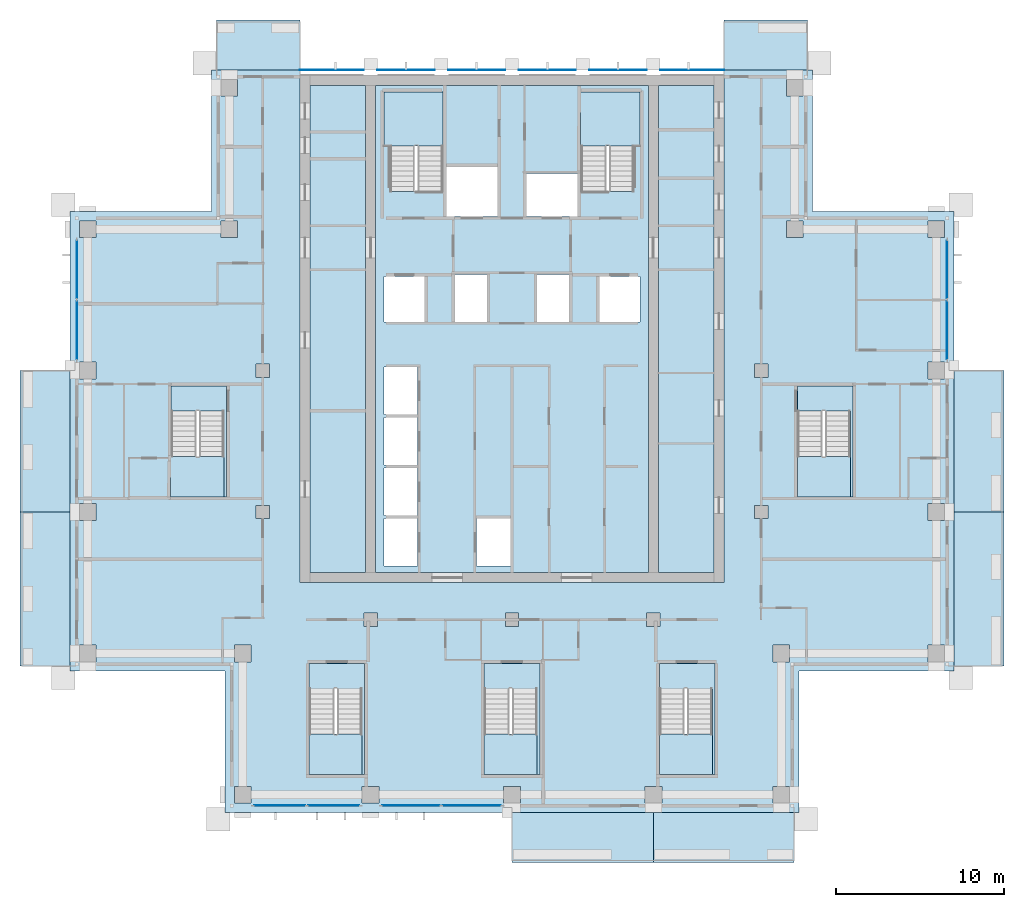
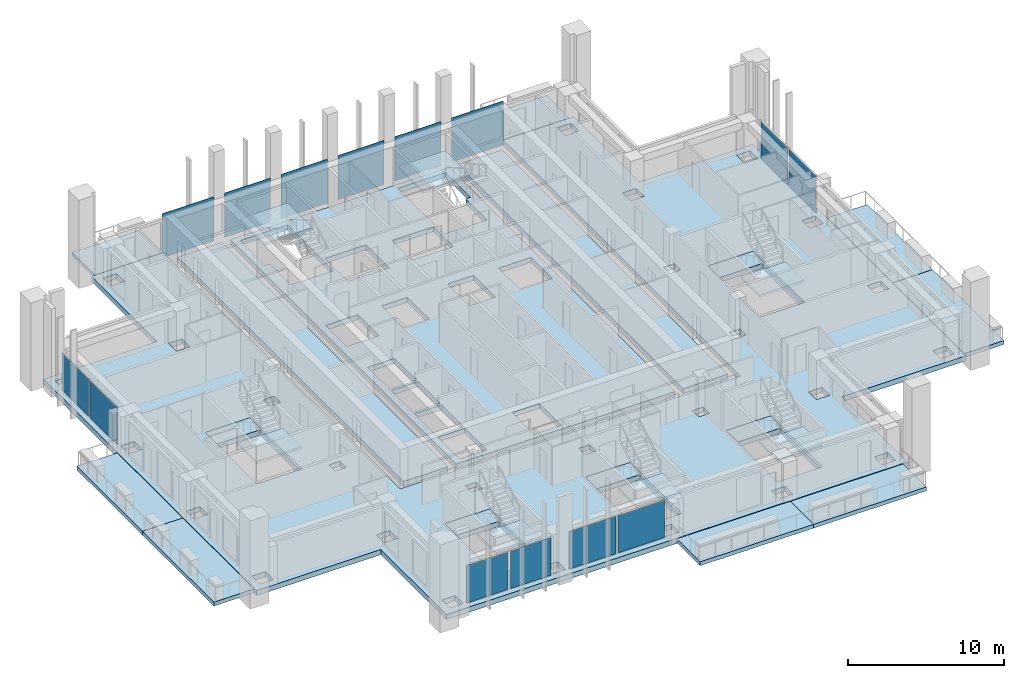
# One storey, part 7 of 18: 24 slabs, 14 plates, 11 elements without a shape of their own.
"""IFC4 building model written with IfcOpenShell, lengths in metres."""

from ifc_helpers import new_model, si_unit, direction, frame, origin, origin_2d, place, context, subcontext, project, spatial, polyline, rectangle, outline, extrude, material, layer, layer_set, type_object, element, aggregate, save


model = new_model("IFC4")

# Units and contexts
model_context = context("Model", 3, precision=1e-05, world=origin(), true_north=direction((0.0, 1.0)))
body_context = subcontext(model_context, "Body", "Model", "MODEL_VIEW")
ifc_project = project(units=[si_unit("LENGTHUNIT", "METRE"), si_unit("AREAUNIT", "SQUARE_METRE"), si_unit("VOLUMEUNIT", "CUBIC_METRE"), si_unit("PLANEANGLEUNIT", "RADIAN"), si_unit("MASSUNIT", "GRAM", prefix="KILO")], contexts=[model_context])

# Site, building, storey
site_placement = place(None, origin())
site = spatial("IfcSite", under=ifc_project, at=site_placement, CompositionType="ELEMENT")
building_placement = place(site_placement, origin())
building = spatial("IfcBuilding", under=site, at=building_placement, Name="Vermilion Ogive Tower", CompositionType="ELEMENT")
storey_placement = place(building_placement, frame((0.0, 0.0, 199.699951171875)))
storey = spatial("IfcBuildingStorey", under=building, at=storey_placement, Name="L52", CompositionType="ELEMENT", Elevation=199.699951171875)

# Slabs
ifc_material_1 = material(Name="Concrete B40", Category="concrete")
ifc_layer_1 = layer(ifc_material_1, 0.300048828125)
ifc_layer_set_1 = layer_set([ifc_layer_1], Name="Balcony slab")
slab_type_1 = type_object("IfcSlabType", Name="Balcony slab", PredefinedType="FLOOR", material=ifc_layer_set_1)
slab_1_placement = place(storey_placement, frame((0.0, 0.0, -0.33984375)))
element("IfcSlab", 1, at=slab_1_placement, inside=storey, type_object=slab_type_1, Name="Balcony slab S03", PredefinedType="FLOOR", context=body_context, shape_type="SweptSolid", body=[
    extrude(outline(polyline([(0.0, -25.030029296875), (8.39990234375, -25.030029296875), (8.39990234375, -22.050048828125), (0.0, -22.050048828125), (0.0, -25.030029296875)])), origin(), (0.0, 0.0, 1.0), 0.2998046875),
])
slab_2_placement = place(storey_placement, frame((0.0, 0.0, -0.33984375)))
element("IfcSlab", 2, at=slab_2_placement, inside=storey, type_object=slab_type_1, Name="Balcony slab S04", PredefinedType="FLOOR", context=body_context, shape_type="SweptSolid", body=[
    extrude(outline(polyline([(8.39990234375, -25.030029296875), (16.75, -25.030029296875), (16.75, -22.050048828125), (8.39990234375, -22.050048828125), (8.39990234375, -25.030029296875)])), origin(), (0.0, 0.0, 1.0), 0.2998046875),
])
slab_3_placement = place(storey_placement, frame((0.0, 0.0, -0.33984375)))
element("IfcSlab", 3, at=slab_3_placement, inside=storey, type_object=slab_type_1, Name="Balcony slab E01", PredefinedType="FLOOR", context=body_context, shape_type="SweptSolid", body=[
    extrude(outline(polyline([(29.22998046875, -13.35009765625), (29.22998046875, -4.199951171875), (26.25, -4.199951171875), (26.25, -13.35009765625), (29.22998046875, -13.35009765625)])), origin(), (0.0, 0.0, 1.0), 0.2998046875),
])
slab_4_placement = place(storey_placement, frame((0.0, 0.0, -0.33984375)))
element("IfcSlab", 4, at=slab_4_placement, inside=storey, type_object=slab_type_1, Name="Balcony slab E02", PredefinedType="FLOOR", context=body_context, shape_type="SweptSolid", body=[
    extrude(outline(polyline([(29.22998046875, -4.199951171875), (29.22998046875, 4.199951171875), (26.25, 4.199951171875), (26.25, -4.199951171875), (29.22998046875, -4.199951171875)])), origin(), (0.0, 0.0, 1.0), 0.2998046875),
])
slab_5_placement = place(storey_placement, frame((0.0, 0.0, -0.33984375)))
element("IfcSlab", 5, at=slab_5_placement, inside=storey, type_object=slab_type_1, Name="Balcony slab N101", PredefinedType="FLOOR", context=body_context, shape_type="SweptSolid", body=[
    extrude(outline(polyline([(17.550048828125, 25.030029296875), (12.60009765625, 25.030029296875), (12.60009765625, 22.050048828125), (17.550048828125, 22.050048828125), (17.550048828125, 25.030029296875)])), origin(), (0.0, 0.0, 1.0), 0.2998046875),
])
slab_6_placement = place(storey_placement, frame((0.0, 0.0, -0.33984375)))
element("IfcSlab", 6, at=slab_6_placement, inside=storey, type_object=slab_type_1, Name="Balcony slab N201", PredefinedType="FLOOR", context=body_context, shape_type="SweptSolid", body=[
    extrude(outline(polyline([(-12.60009765625, 25.030029296875), (-17.550048828125, 25.030029296875), (-17.550048828125, 22.050048828125), (-12.60009765625, 22.050048828125), (-12.60009765625, 25.030029296875)])), origin(), (0.0, 0.0, 1.0), 0.2998046875),
])
slab_7_placement = place(storey_placement, frame((0.0, 0.0, -0.33984375)))
element("IfcSlab", 7, at=slab_7_placement, inside=storey, type_object=slab_type_1, Name="Balcony slab W02", PredefinedType="FLOOR", context=body_context, shape_type="SweptSolid", body=[
    extrude(outline(polyline([(-29.22998046875, 4.199951171875), (-29.22998046875, -4.199951171875), (-26.25, -4.199951171875), (-26.25, 4.199951171875), (-29.22998046875, 4.199951171875)])), origin(), (0.0, 0.0, 1.0), 0.2998046875),
])
slab_8_placement = place(storey_placement, frame((0.0, 0.0, -0.33984375)))
element("IfcSlab", 8, at=slab_8_placement, inside=storey, type_object=slab_type_1, Name="Balcony slab W03", PredefinedType="FLOOR", context=body_context, shape_type="SweptSolid", body=[
    extrude(outline(polyline([(-29.22998046875, -4.199951171875), (-29.22998046875, -13.35009765625), (-26.25, -13.35009765625), (-26.25, -4.199951171875), (-29.22998046875, -4.199951171875)])), origin(), (0.0, 0.0, 1.0), 0.2998046875),
])

# Curtain wall, plates
ifc_material_2 = material(Name="Low-iron laminated glazing in aluminium frame", Category="aluminium")
curtain_wall_type = type_object("IfcCurtainWallType", Name="Curtain wall CW7", PredefinedType="NOTDEFINED", material=ifc_material_2)
curtain_wall_1_placement = place(storey_placement, origin())
curtain_wall_1 = element("IfcCurtainWall", 9, at=curtain_wall_1_placement, inside=storey, type_object=curtain_wall_type, Name="Glazed skin S1", PredefinedType="NOTDEFINED")
ifc_material_3 = material(Name="Low-iron laminated glazing in aluminium frame", Category="aluminium")
ifc_layer_2 = layer(ifc_material_3, 0.031982421875)
ifc_layer_set_2 = layer_set([ifc_layer_2], Name="CW7 glazing panel 32")
plate_type_1 = type_object("IfcPlateType", Name="CW7 glazing panel 32", PredefinedType="CURTAIN_PANEL", material=ifc_layer_set_2)
plate_1_placement = place(storey_placement, frame((-13.804931640625, -21.64990234375, 0.06005859375), z_axis=(0.0, 0.0, 1.0), x_axis=(1.0, 0.0, 0.0)))
plate_1 = element("IfcPlate", 10, at=plate_1_placement, type_object=plate_type_1, Name="CW7-S1 panel 1.1", PredefinedType="CURTAIN_PANEL", context=body_context, shape_type="SweptSolid", body=[
    extrude(rectangle(XDim=3.030029296875, YDim=0.031982421875, at=origin_2d()), origin(), (0.0, 0.0, 1.0), 2.929931640625),
])
plate_2_placement = place(storey_placement, frame((-10.594970703125, -21.64990234375, 0.06005859375), z_axis=(0.0, 0.0, 1.0), x_axis=(1.0, 0.0, 0.0)))
plate_2 = element("IfcPlate", 11, at=plate_2_placement, type_object=plate_type_1, Name="CW7-S1 panel 2.1", PredefinedType="CURTAIN_PANEL", context=body_context, shape_type="SweptSolid", body=[
    extrude(rectangle(XDim=3.030029296875, YDim=0.031982421875, at=origin_2d()), origin(), (0.0, 0.0, 1.0), 2.929931640625),
])
aggregate(curtain_wall_1, [plate_1, plate_2])

curtain_wall_2_placement = place(storey_placement, origin())
curtain_wall_2 = element("IfcCurtainWall", 12, at=curtain_wall_2_placement, inside=storey, type_object=curtain_wall_type, Name="Glazed skin S2", PredefinedType="NOTDEFINED")
plate_3_placement = place(storey_placement, frame((-6.0048828125, -21.64990234375, 0.06005859375), z_axis=(0.0, 0.0, 1.0), x_axis=(1.0, 0.0, 0.0)))
plate_3 = element("IfcPlate", 13, at=plate_3_placement, type_object=plate_type_1, Name="CW7-S2 panel 1.1", PredefinedType="CURTAIN_PANEL", context=body_context, shape_type="SweptSolid", body=[
    extrude(rectangle(XDim=3.429931640625, YDim=0.031982421875, at=origin_2d()), origin(), (0.0, 0.0, 1.0), 2.929931640625),
])
plate_4_placement = place(storey_placement, frame((-2.39501953125, -21.64990234375, 0.06005859375), z_axis=(0.0, 0.0, 1.0), x_axis=(1.0, 0.0, 0.0)))
plate_4 = element("IfcPlate", 14, at=plate_4_placement, type_object=plate_type_1, Name="CW7-S2 panel 2.1", PredefinedType="CURTAIN_PANEL", context=body_context, shape_type="SweptSolid", body=[
    extrude(rectangle(XDim=3.429931640625, YDim=0.031982421875, at=origin_2d()), origin(), (0.0, 0.0, 1.0), 2.929931640625),
])
aggregate(curtain_wall_2, [plate_3, plate_4])

curtain_wall_3_placement = place(storey_placement, origin())
curtain_wall_3 = element("IfcCurtainWall", 15, at=curtain_wall_3_placement, inside=storey, type_object=curtain_wall_type, Name="Glazed skin E3", PredefinedType="NOTDEFINED")
plate_5_placement = place(storey_placement, frame((25.85009765625, 6.594970703125, 0.06005859375), z_axis=(0.0, 0.0, 1.0), x_axis=(0.0, 1.0, 0.0)))
plate_5 = element("IfcPlate", 16, at=plate_5_placement, type_object=plate_type_1, Name="CW7-E3 panel 1.1", PredefinedType="CURTAIN_PANEL", context=body_context, shape_type="SweptSolid", body=[
    extrude(rectangle(XDim=3.429931640625, YDim=0.031982421875, at=origin_2d()), origin(), (0.0, 0.0, 1.0), 2.929931640625),
])
plate_6_placement = place(storey_placement, frame((25.85009765625, 10.205078125, 0.06005859375), z_axis=(0.0, 0.0, 1.0), x_axis=(0.0, 1.0, 0.0)))
plate_6 = element("IfcPlate", 17, at=plate_6_placement, type_object=plate_type_1, Name="CW7-E3 panel 2.1", PredefinedType="CURTAIN_PANEL", context=body_context, shape_type="SweptSolid", body=[
    extrude(rectangle(XDim=3.429931640625, YDim=0.031982421875, at=origin_2d()), origin(), (0.0, 0.0, 1.0), 2.929931640625),
])
aggregate(curtain_wall_3, [plate_5, plate_6])

curtain_wall_4_placement = place(storey_placement, origin())
curtain_wall_4 = element("IfcCurtainWall", 18, at=curtain_wall_4_placement, inside=storey, type_object=curtain_wall_type, Name="Glazed skin W1", PredefinedType="NOTDEFINED")
plate_7_placement = place(storey_placement, frame((-25.85009765625, 10.205078125, 0.06005859375), z_axis=(0.0, 0.0, 1.0), x_axis=(0.0, -1.0, 0.0)))
plate_7 = element("IfcPlate", 19, at=plate_7_placement, type_object=plate_type_1, Name="CW7-W1 panel 1.1", PredefinedType="CURTAIN_PANEL", context=body_context, shape_type="SweptSolid", body=[
    extrude(rectangle(XDim=3.429931640625, YDim=0.031982421875, at=origin_2d()), origin(), (0.0, 0.0, 1.0), 2.929931640625),
])
plate_8_placement = place(storey_placement, frame((-25.85009765625, 6.594970703125, 0.06005859375), z_axis=(0.0, 0.0, 1.0), x_axis=(0.0, -1.0, 0.0)))
plate_8 = element("IfcPlate", 20, at=plate_8_placement, type_object=plate_type_1, Name="CW7-W1 panel 2.1", PredefinedType="CURTAIN_PANEL", context=body_context, shape_type="SweptSolid", body=[
    extrude(rectangle(XDim=3.429931640625, YDim=0.031982421875, at=origin_2d()), origin(), (0.0, 0.0, 1.0), 2.929931640625),
])
aggregate(curtain_wall_4, [plate_7, plate_8])

# Slabs
ifc_material_4 = material(Name="Concrete B40", Category="concrete")
ifc_layer_3 = layer(ifc_material_4, 0.39990234375)
ifc_layer_set_3 = layer_set([ifc_layer_3], Name="Core floor slab 400 B40")
slab_type_2 = type_object("IfcSlabType", Name="Core floor slab 400 B40", PredefinedType="FLOOR", material=ifc_layer_set_3)
slab_9_placement = place(storey_placement, frame((0.0, 0.0, -0.39990234375)))
element("IfcSlab", 21, at=slab_9_placement, inside=storey, type_object=slab_type_2, Name="L52-CK-FS1", PredefinedType="FLOOR", context=body_context, shape_type="SweptSolid", body=[
    extrude(outline(polyline([(-11.99609375, 21.14599609375), (-8.7041015625, 21.14599609375), (-8.7041015625, -7.7958984375), (-11.99609375, -7.7958984375), (-11.99609375, 21.14599609375)])), origin(), (0.0, 0.0, 1.0), 0.39990234375),
])
slab_10_placement = place(storey_placement, frame((0.0, 0.0, -0.39990234375)))
element("IfcSlab", 22, at=slab_10_placement, inside=storey, type_object=slab_type_2, Name="L52-CK-FS2", PredefinedType="FLOOR", context=body_context, shape_type="SweptSolid", body=[
    extrude(outline(polyline([(-8.095947265625, -7.7958984375), (8.095947265625, -7.7958984375), (8.095947265625, 21.14599609375), (-8.095947265625, 21.14599609375), (-8.095947265625, -7.7958984375)]), holes=[polyline([(-7.60009765625, -7.39990234375), (-7.60009765625, -4.60009765625), (-5.60009765625, -4.60009765625), (-5.60009765625, -7.39990234375), (-7.60009765625, -7.39990234375)]), polyline([(-7.60009765625, -4.39990234375), (-7.60009765625, -1.60009765625), (-5.60009765625, -1.60009765625), (-5.60009765625, -4.39990234375), (-7.60009765625, -4.39990234375)]), polyline([(-7.60009765625, -1.39990234375), (-7.60009765625, 1.39990234375), (-5.60009765625, 1.39990234375), (-5.60009765625, -1.39990234375), (-7.60009765625, -1.39990234375)]), polyline([(-7.60009765625, 1.60009765625), (-7.60009765625, 4.39990234375), (-5.60009765625, 4.39990234375), (-5.60009765625, 1.60009765625), (-7.60009765625, 1.60009765625)]), polyline([(-7.60009765625, 7.10009765625), (-7.60009765625, 9.800048828125), (-5.199951171875, 9.800048828125), (-5.199951171875, 7.10009765625), (-7.60009765625, 7.10009765625)]), polyline([(-3.39990234375, 9.89990234375), (-1.5, 9.89990234375), (-1.5, 7.10009765625), (-3.39990234375, 7.10009765625), (-3.39990234375, 9.89990234375)]), polyline([(-7.60009765625, 17.550048828125), (-7.60009765625, 20.75), (-4.10009765625, 20.75), (-4.10009765625, 14.85205078125), (-5.60009765625, 14.85205078125), (-5.60009765625, 14.85009765625), (-5.75, 14.85009765625), (-5.75, 14.85205078125), (-7.25, 14.85205078125), (-7.25, 17.550048828125), (-7.60009765625, 17.550048828125)]), polyline([(-2.10009765625, -7.39990234375), (-2.10009765625, -4.60009765625), (-0.10009765625, -4.60009765625), (-0.10009765625, -7.39990234375), (-2.10009765625, -7.39990234375)]), polyline([(5.199951171875, 7.10009765625), (5.199951171875, 9.800048828125), (7.60009765625, 9.800048828125), (7.60009765625, 7.10009765625), (5.199951171875, 7.10009765625)]), polyline([(1.5, 7.10009765625), (1.5, 9.89990234375), (3.39990234375, 9.89990234375), (3.39990234375, 7.10009765625), (1.5, 7.10009765625)]), polyline([(0.85009765625, 13.35009765625), (0.85009765625, 15.89990234375), (3.89990234375, 15.89990234375), (3.89990234375, 13.35009765625), (0.85009765625, 13.35009765625)]), polyline([(-3.89990234375, 16.300048828125), (-0.85009765625, 16.300048828125), (-0.85009765625, 13.35009765625), (-3.89990234375, 13.35009765625), (-3.89990234375, 16.300048828125)]), polyline([(5.75, 14.85009765625), (5.60009765625, 14.85009765625), (5.60009765625, 14.85205078125), (4.10009765625, 14.85205078125), (4.10009765625, 17.550048828125), (4.074951171875, 17.550048828125), (4.074951171875, 20.75), (7.60009765625, 20.75), (7.60009765625, 17.550048828125), (7.25, 17.550048828125), (7.25, 14.85205078125), (5.75, 14.85205078125), (5.75, 14.85009765625)])]), origin(), (0.0, 0.0, 1.0), 0.39990234375),
])
slab_11_placement = place(storey_placement, frame((0.0, 0.0, -0.39990234375)))
element("IfcSlab", 23, at=slab_11_placement, inside=storey, type_object=slab_type_2, Name="L52-CK-FS3", PredefinedType="FLOOR", context=body_context, shape_type="SweptSolid", body=[
    extrude(outline(polyline([(11.99609375, 21.14599609375), (11.99609375, -7.7958984375), (8.7041015625, -7.7958984375), (8.7041015625, 21.14599609375), (11.99609375, 21.14599609375)])), origin(), (0.0, 0.0, 1.0), 0.39990234375),
])
slab_12_placement = place(storey_placement, frame((0.0, 0.0, -0.39990234375)))
element("IfcSlab", 24, at=slab_12_placement, inside=storey, type_object=slab_type_2, Name="L52-SF-ST3-1", PredefinedType="FLOOR", context=body_context, shape_type="SweptSolid", body=[
    extrude(outline(polyline([(-12.050048828125, -13.199951171875), (-12.050048828125, -14.701904296875), (-10.550048828125, -14.701904296875), (-10.550048828125, -14.699951171875), (-10.39990234375, -14.699951171875), (-10.39990234375, -14.701904296875), (-8.89990234375, -14.701904296875), (-8.89990234375, -19.800048828125), (-8.75, -19.800048828125), (-8.75, -13.199951171875), (-12.050048828125, -13.199951171875)])), origin(), (0.0, 0.0, 1.0), 0.39990234375),
])
slab_13_placement = place(storey_placement, frame((0.0, 0.0, -0.39990234375)))
element("IfcSlab", 25, at=slab_13_placement, inside=storey, type_object=slab_type_2, Name="L52-SF-ST4-1", PredefinedType="FLOOR", context=body_context, shape_type="SweptSolid", body=[
    extrude(outline(polyline([(-1.64990234375, -13.199951171875), (-1.64990234375, -14.701904296875), (-0.14990234375, -14.701904296875), (-0.14990234375, -14.699951171875), (0.0, -14.699951171875), (0.0, -14.701904296875), (1.5, -14.701904296875), (1.5, -19.800048828125), (1.64990234375, -19.800048828125), (1.64990234375, -13.199951171875), (-1.64990234375, -13.199951171875)])), origin(), (0.0, 0.0, 1.0), 0.39990234375),
])
slab_14_placement = place(storey_placement, frame((0.0, 0.0, -0.39990234375)))
element("IfcSlab", 26, at=slab_14_placement, inside=storey, type_object=slab_type_2, Name="L52-SF-ST5-1", PredefinedType="FLOOR", context=body_context, shape_type="SweptSolid", body=[
    extrude(outline(polyline([(8.75, -13.199951171875), (8.75, -14.701904296875), (10.25, -14.701904296875), (10.25, -14.699951171875), (10.39990234375, -14.699951171875), (10.39990234375, -14.701904296875), (11.89990234375, -14.701904296875), (11.89990234375, -19.800048828125), (12.050048828125, -19.800048828125), (12.050048828125, -13.199951171875), (8.75, -13.199951171875)])), origin(), (0.0, 0.0, 1.0), 0.39990234375),
])
slab_15_placement = place(storey_placement, frame((0.0, 0.0, -0.39990234375)))
element("IfcSlab", 27, at=slab_15_placement, inside=storey, type_object=slab_type_2, Name="L52-SF-ST8-1", PredefinedType="FLOOR", context=body_context, shape_type="SweptSolid", body=[
    extrude(outline(polyline([(16.949951171875, 3.300048828125), (16.949951171875, 1.798095703125), (18.449951171875, 1.798095703125), (18.449951171875, 1.800048828125), (18.60009765625, 1.800048828125), (18.60009765625, 1.798095703125), (20.10009765625, 1.798095703125), (20.10009765625, -3.300048828125), (20.25, -3.300048828125), (20.25, 3.300048828125), (16.949951171875, 3.300048828125)])), origin(), (0.0, 0.0, 1.0), 0.39990234375),
])
slab_16_placement = place(storey_placement, frame((0.0, 0.0, -0.39990234375)))
element("IfcSlab", 28, at=slab_16_placement, inside=storey, type_object=slab_type_2, Name="L52-SF-ST9-1", PredefinedType="FLOOR", context=body_context, shape_type="SweptSolid", body=[
    extrude(outline(polyline([(-20.25, 3.300048828125), (-20.25, 1.798095703125), (-18.75, 1.798095703125), (-18.75, 1.800048828125), (-18.60009765625, 1.800048828125), (-18.60009765625, 1.798095703125), (-17.10009765625, 1.798095703125), (-17.10009765625, -3.300048828125), (-16.949951171875, -3.300048828125), (-16.949951171875, 3.300048828125), (-20.25, 3.300048828125)])), origin(), (0.0, 0.0, 1.0), 0.39990234375),
])

# Plates
ifc_material_5 = material(Name="Low-iron laminated glazing in aluminium frame", Category="aluminium")
ifc_layer_4 = layer(ifc_material_5, 0.031982421875)
ifc_layer_set_4 = layer_set([ifc_layer_4], Name="Glazed rainscreen sheet 32")
plate_type_2 = type_object("IfcPlateType", Name="Glazed rainscreen sheet 32", PredefinedType="SHEET", material=ifc_layer_set_4)
plate_9_placement = place(storey_placement, frame((-10.7099609375, 22.06591796875, -0.39990234375), z_axis=(0.0, 0.0, 1.0), x_axis=(1.0, 0.0, 0.0)))
element("IfcPlate", 29, at=plate_9_placement, inside=storey, type_object=plate_type_2, Name="Glazed rainscreen sheet N1", PredefinedType="SHEET", context=body_context, shape_type="SweptSolid", body=[
    extrude(rectangle(XDim=3.820068359375, YDim=0.031982421875, at=origin_2d()), origin(), (0.0, 0.0, 1.0), 3.449951171875),
])
for number, where, z_axis, x_axis, name in (
    (30, (-6.300048828125, 22.06591796875, -0.39990234375), (0.0, 0.0, 1.0), (1.0, 0.0, 0.0), "Glazed rainscreen sheet N2"),
    (31, (-2.10009765625, 22.06591796875, -0.39990234375), (0.0, 0.0, 1.0), (1.0, 0.0, 0.0), "Glazed rainscreen sheet N3"),
    (32, (2.10009765625, 22.06591796875, -0.39990234375), (0.0, 0.0, 1.0), (1.0, 0.0, 0.0), "Glazed rainscreen sheet N4"),
    (33, (6.300048828125, 22.06591796875, -0.39990234375), (0.0, 0.0, 1.0), (1.0, 0.0, 0.0), "Glazed rainscreen sheet N5"),
):
    element("IfcPlate", number, at=place(storey_placement, frame(where, z_axis=z_axis, x_axis=x_axis)), inside=storey, type_object=plate_type_2, Name=name, PredefinedType="SHEET", context=body_context, shape_type="SweptSolid", body=[
        extrude(rectangle(XDim=3.39990234375, YDim=0.031982421875, at=origin_2d()), origin(), (0.0, 0.0, 1.0), 3.449951171875),
    ])
plate_10_placement = place(storey_placement, frame((10.7099609375, 22.06591796875, -0.39990234375), z_axis=(0.0, 0.0, 1.0), x_axis=(1.0, 0.0, 0.0)))
element("IfcPlate", 34, at=plate_10_placement, inside=storey, type_object=plate_type_2, Name="Glazed rainscreen sheet N6", PredefinedType="SHEET", context=body_context, shape_type="SweptSolid", body=[
    extrude(rectangle(XDim=3.820068359375, YDim=0.031982421875, at=origin_2d()), origin(), (0.0, 0.0, 1.0), 3.449951171875),
])

# Slab
ifc_material_6 = material(Name="Concrete B45", Category="concrete")
ifc_layer_5 = layer(ifc_material_6, 0.39990234375)
ifc_layer_set_5 = layer_set([ifc_layer_5], Name="Post-tensioned flat plate 400 B45")
slab_type_3 = type_object("IfcSlabType", Name="Post-tensioned flat plate 400 B45", PredefinedType="FLOOR", material=ifc_layer_set_5)
slab_17_placement = place(storey_placement, frame((0.0, 0.0, -0.39990234375)))
element("IfcSlab", 35, at=slab_17_placement, inside=storey, type_object=slab_type_3, Name="L52-SL-1", PredefinedType="FLOOR", context=body_context, shape_type="SweptSolid", body=[
    extrude(outline(polyline([(-26.25, 13.64990234375), (-26.25, -13.64990234375), (-17.050048828125, -13.64990234375), (-17.050048828125, -22.050048828125), (17.050048828125, -22.050048828125), (17.050048828125, -13.64990234375), (26.25, -13.64990234375), (26.25, 13.64990234375), (17.85009765625, 13.64990234375), (17.85009765625, 22.050048828125), (12.60009765625, 22.050048828125), (12.60009765625, -8.39990234375), (-12.60009765625, -8.39990234375), (-12.60009765625, 22.050048828125), (-17.85009765625, 22.050048828125), (-17.85009765625, 13.64990234375), (-26.25, 13.64990234375)]), holes=[polyline([(24.699951171875, -3.699951171875), (25.699951171875, -3.699951171875), (25.699951171875, -4.699951171875), (24.699951171875, -4.699951171875), (24.699951171875, -3.699951171875)]), polyline([(24.699951171875, -12.10009765625), (25.699951171875, -12.10009765625), (25.699951171875, -13.10009765625), (24.699951171875, -13.10009765625), (24.699951171875, -12.10009765625)]), polyline([(25.699951171875, 13.10009765625), (25.699951171875, 12.10009765625), (24.699951171875, 12.10009765625), (24.699951171875, 13.10009765625), (25.699951171875, 13.10009765625)]), polyline([(25.699951171875, 4.699951171875), (25.699951171875, 3.699951171875), (24.699951171875, 3.699951171875), (24.699951171875, 4.699951171875), (25.699951171875, 4.699951171875)]), polyline([(20.275146484375, -3.2998046875), (20.25, -3.2998046875), (20.25, -3.300048828125), (16.949951171875, -3.300048828125), (16.949951171875, 3.300048828125), (20.25, 3.300048828125), (20.25, -0.89990234375), (20.275146484375, -0.89990234375), (20.275146484375, -3.2998046875)]), polyline([(16.300048828125, 13.10009765625), (17.300048828125, 13.10009765625), (17.300048828125, 12.10009765625), (16.300048828125, 12.10009765625), (16.300048828125, 13.10009765625)]), polyline([(17.300048828125, 21.5), (17.300048828125, 20.5), (16.300048828125, 20.5), (16.300048828125, 21.5), (17.300048828125, 21.5)]), polyline([(15.5, -12.10009765625), (16.5, -12.10009765625), (16.5, -13.10009765625), (15.5, -13.10009765625), (15.5, -12.10009765625)]), polyline([(15.5, -20.5), (16.5, -20.5), (16.5, -21.5), (15.5, -21.5), (15.5, -20.5)]), polyline([(14.39990234375, 4.60009765625), (15.199951171875, 4.60009765625), (15.199951171875, 3.800048828125), (14.39990234375, 3.800048828125), (14.39990234375, 4.60009765625)]), polyline([(15.199951171875, -3.800048828125), (15.199951171875, -4.60009765625), (14.39990234375, -4.60009765625), (14.39990234375, -3.800048828125), (15.199951171875, -3.800048828125)]), polyline([(8.75, -13.199951171875), (12.050048828125, -13.199951171875), (12.050048828125, -19.800048828125), (8.75, -19.800048828125), (8.75, -13.199951171875)]), polyline([(7.89990234375, -20.5), (8.89990234375, -20.5), (8.89990234375, -21.5), (7.89990234375, -21.5), (7.89990234375, -20.5)]), polyline([(8.800048828125, -10.199951171875), (8.800048828125, -11.0), (8.0, -11.0), (8.0, -10.199951171875), (8.800048828125, -10.199951171875)]), polyline([(-1.64990234375, -13.199951171875), (1.64990234375, -13.199951171875), (1.64990234375, -19.800048828125), (-1.64990234375, -19.800048828125), (-1.64990234375, -13.199951171875)]), polyline([(-0.5, -20.5), (0.5, -20.5), (0.5, -21.5), (-0.5, -21.5), (-0.5, -20.5)]), polyline([(-0.39990234375, -10.199951171875), (0.39990234375, -10.199951171875), (0.39990234375, -11.0), (-0.39990234375, -11.0), (-0.39990234375, -10.199951171875)]), polyline([(-8.89990234375, -20.5), (-7.89990234375, -20.5), (-7.89990234375, -21.5), (-8.89990234375, -21.5), (-8.89990234375, -20.5)]), polyline([(-8.800048828125, -10.199951171875), (-8.0, -10.199951171875), (-8.0, -11.0), (-8.800048828125, -11.0), (-8.800048828125, -10.199951171875)]), polyline([(-12.050048828125, -13.199951171875), (-8.75, -13.199951171875), (-8.75, -19.800048828125), (-12.050048828125, -19.800048828125), (-12.050048828125, -13.199951171875)]), polyline([(-15.199951171875, 4.60009765625), (-14.39990234375, 4.60009765625), (-14.39990234375, 3.800048828125), (-15.199951171875, 3.800048828125), (-15.199951171875, 4.60009765625)]), polyline([(-14.39990234375, -3.800048828125), (-14.39990234375, -4.60009765625), (-15.199951171875, -4.60009765625), (-15.199951171875, -3.800048828125), (-14.39990234375, -3.800048828125)]), polyline([(-16.5, -12.10009765625), (-15.5, -12.10009765625), (-15.5, -13.10009765625), (-16.5, -13.10009765625), (-16.5, -12.10009765625)]), polyline([(-16.5, -20.5), (-15.5, -20.5), (-15.5, -21.5), (-16.5, -21.5), (-16.5, -20.5)]), polyline([(-17.300048828125, 13.10009765625), (-16.300048828125, 13.10009765625), (-16.300048828125, 12.10009765625), (-17.300048828125, 12.10009765625), (-17.300048828125, 13.10009765625)]), polyline([(-16.300048828125, 21.5), (-16.300048828125, 20.5), (-17.300048828125, 20.5), (-17.300048828125, 21.5), (-16.300048828125, 21.5)]), polyline([(-20.25, -3.300048828125), (-20.25, -3.2998046875), (-20.275146484375, -3.2998046875), (-20.275146484375, -0.89990234375), (-20.25, -0.89990234375), (-20.25, 3.300048828125), (-16.949951171875, 3.300048828125), (-16.949951171875, -3.300048828125), (-20.25, -3.300048828125)]), polyline([(-24.699951171875, 4.699951171875), (-24.699951171875, 3.699951171875), (-25.699951171875, 3.699951171875), (-25.699951171875, 4.699951171875), (-24.699951171875, 4.699951171875)]), polyline([(-25.699951171875, 13.10009765625), (-24.699951171875, 13.10009765625), (-24.699951171875, 12.10009765625), (-25.699951171875, 12.10009765625), (-25.699951171875, 13.10009765625)]), polyline([(-25.699951171875, -3.699951171875), (-24.699951171875, -3.699951171875), (-24.699951171875, -4.699951171875), (-25.699951171875, -4.699951171875), (-25.699951171875, -3.699951171875)]), polyline([(-25.699951171875, -12.10009765625), (-24.699951171875, -12.10009765625), (-24.699951171875, -13.10009765625), (-25.699951171875, -13.10009765625), (-25.699951171875, -12.10009765625)])]), origin(), (0.0, 0.0, 1.0), 0.39990234375),
])

# Stair, slab
ifc_material_7 = material(Name="Concrete B40", Category="concrete")
stair_type = type_object("IfcStairType", Name="Exit stair 1500", PredefinedType="HALF_TURN_STAIR", material=ifc_material_7)
stair_1_placement = place(storey_placement, origin())
stair_1 = element("IfcStair", 36, at=stair_1_placement, inside=storey, type_object=stair_type, Name="L52 Exit Stair ST1", PredefinedType="HALF_TURN_STAIR")
ifc_material_8 = material(Name="Concrete B40", Category="concrete")
ifc_layer_6 = layer(ifc_material_8, 0.199951171875)
ifc_layer_set_6 = layer_set([ifc_layer_6], Name="Stair landing 200")
slab_type_4 = type_object("IfcSlabType", Name="Stair landing 200", PredefinedType="LANDING", material=ifc_layer_set_6)
slab_18_placement = place(storey_placement, frame((0.0, 0.0, 1.525146484375)))
slab_18 = element("IfcSlab", 37, at=slab_18_placement, type_object=slab_type_4, Name="ST1 landing 1", PredefinedType="LANDING", context=body_context, shape_type="SweptSolid", body=[
    extrude(outline(polyline([(-7.60009765625, 17.550048828125), (-7.25, 17.550048828125), (-7.25, 17.548095703125), (-5.75, 17.548095703125), (-5.75, 17.550048828125), (-5.60009765625, 17.550048828125), (-5.60009765625, 17.548095703125), (-4.10009765625, 17.548095703125), (-4.10009765625, 20.75), (-7.60009765625, 20.75), (-7.60009765625, 17.550048828125)])), origin(), (0.0, 0.0, 1.0), 0.199951171875),
])
aggregate(stair_1, [slab_18])

stair_2_placement = place(storey_placement, origin())
stair_2 = element("IfcStair", 38, at=stair_2_placement, inside=storey, type_object=stair_type, Name="L52 Exit Stair ST2", PredefinedType="HALF_TURN_STAIR")
slab_19_placement = place(storey_placement, frame((0.0, 0.0, 1.525146484375)))
slab_19 = element("IfcSlab", 39, at=slab_19_placement, type_object=slab_type_4, Name="ST2 landing 1", PredefinedType="LANDING", context=body_context, shape_type="SweptSolid", body=[
    extrude(outline(polyline([(5.60009765625, 17.550048828125), (5.75, 17.550048828125), (5.75, 17.548095703125), (7.25, 17.548095703125), (7.25, 17.550048828125), (7.60009765625, 17.550048828125), (7.60009765625, 20.75), (4.074951171875, 20.75), (4.074951171875, 17.550048828125), (4.10009765625, 17.550048828125), (4.10009765625, 17.548095703125), (5.60009765625, 17.548095703125), (5.60009765625, 17.550048828125)])), origin(), (0.0, 0.0, 1.0), 0.199951171875),
])
aggregate(stair_2, [slab_19])

stair_3_placement = place(storey_placement, origin())
stair_3 = element("IfcStair", 40, at=stair_3_placement, inside=storey, type_object=stair_type, Name="L52 Exit Stair ST3", PredefinedType="HALF_TURN_STAIR")
slab_20_placement = place(storey_placement, frame((0.0, 0.0, 1.525146484375)))
slab_20 = element("IfcSlab", 41, at=slab_20_placement, type_object=slab_type_4, Name="ST3 landing 1", PredefinedType="LANDING", context=body_context, shape_type="SweptSolid", body=[
    extrude(outline(polyline([(-8.75, -17.39990234375), (-8.89990234375, -17.39990234375), (-8.89990234375, -17.39794921875), (-10.39990234375, -17.39794921875), (-10.39990234375, -17.39990234375), (-10.550048828125, -17.39990234375), (-10.550048828125, -17.39794921875), (-12.050048828125, -17.39794921875), (-12.050048828125, -19.800048828125), (-8.75, -19.800048828125), (-8.75, -17.39990234375)])), origin(), (0.0, 0.0, 1.0), 0.199951171875),
])
aggregate(stair_3, [slab_20])

stair_4_placement = place(storey_placement, origin())
stair_4 = element("IfcStair", 42, at=stair_4_placement, inside=storey, type_object=stair_type, Name="L52 Exit Stair ST4", PredefinedType="HALF_TURN_STAIR")
slab_21_placement = place(storey_placement, frame((0.0, 0.0, 1.525146484375)))
slab_21 = element("IfcSlab", 43, at=slab_21_placement, type_object=slab_type_4, Name="ST4 landing 1", PredefinedType="LANDING", context=body_context, shape_type="SweptSolid", body=[
    extrude(outline(polyline([(1.64990234375, -17.39990234375), (1.5, -17.39990234375), (1.5, -17.39794921875), (0.0, -17.39794921875), (0.0, -17.39990234375), (-0.14990234375, -17.39990234375), (-0.14990234375, -17.39794921875), (-1.64990234375, -17.39794921875), (-1.64990234375, -19.7998046875), (1.64990234375, -19.7998046875), (1.64990234375, -17.39990234375)])), origin(), (0.0, 0.0, 1.0), 0.199951171875),
])
aggregate(stair_4, [slab_21])

stair_5_placement = place(storey_placement, origin())
stair_5 = element("IfcStair", 44, at=stair_5_placement, inside=storey, type_object=stair_type, Name="L52 Exit Stair ST5", PredefinedType="HALF_TURN_STAIR")
slab_22_placement = place(storey_placement, frame((0.0, 0.0, 1.525146484375)))
slab_22 = element("IfcSlab", 45, at=slab_22_placement, type_object=slab_type_4, Name="ST5 landing 1", PredefinedType="LANDING", context=body_context, shape_type="SweptSolid", body=[
    extrude(outline(polyline([(12.050048828125, -17.39990234375), (11.89990234375, -17.39990234375), (11.89990234375, -17.39794921875), (10.39990234375, -17.39794921875), (10.39990234375, -17.39990234375), (10.25, -17.39990234375), (10.25, -17.39794921875), (8.75, -17.39794921875), (8.75, -19.800048828125), (12.050048828125, -19.800048828125), (12.050048828125, -17.39990234375)])), origin(), (0.0, 0.0, 1.0), 0.199951171875),
])
aggregate(stair_5, [slab_22])

stair_6_placement = place(storey_placement, origin())
stair_6 = element("IfcStair", 46, at=stair_6_placement, inside=storey, type_object=stair_type, Name="L52 Exit Stair ST8", PredefinedType="HALF_TURN_STAIR")
slab_23_placement = place(storey_placement, frame((0.0, 0.0, 1.525146484375)))
slab_23 = element("IfcSlab", 47, at=slab_23_placement, type_object=slab_type_4, Name="ST8 landing 1", PredefinedType="LANDING", context=body_context, shape_type="SweptSolid", body=[
    extrude(outline(polyline([(20.25, -0.89990234375), (20.10009765625, -0.89990234375), (20.10009765625, -0.89794921875), (18.60009765625, -0.89794921875), (18.60009765625, -0.89990234375), (18.449951171875, -0.89990234375), (18.449951171875, -0.89794921875), (16.949951171875, -0.89794921875), (16.949951171875, -0.902099609375), (16.9501953125, -0.902099609375), (16.9501953125, -3.2998046875), (20.25, -3.2998046875), (20.25, -0.89990234375)])), origin(), (0.0, 0.0, 1.0), 0.199951171875),
])
aggregate(stair_6, [slab_23])

stair_7_placement = place(storey_placement, origin())
stair_7 = element("IfcStair", 48, at=stair_7_placement, inside=storey, type_object=stair_type, Name="L52 Exit Stair ST9", PredefinedType="HALF_TURN_STAIR")
slab_24_placement = place(storey_placement, frame((0.0, 0.0, 1.525146484375)))
slab_24 = element("IfcSlab", 49, at=slab_24_placement, type_object=slab_type_4, Name="ST9 landing 1", PredefinedType="LANDING", context=body_context, shape_type="SweptSolid", body=[
    extrude(outline(polyline([(-16.9501953125, -0.89990234375), (-17.10009765625, -0.89990234375), (-17.10009765625, -0.89794921875), (-18.60009765625, -0.89794921875), (-18.60009765625, -0.89990234375), (-18.75, -0.89990234375), (-18.75, -0.89794921875), (-20.25, -0.89794921875), (-20.25, -0.89990234375), (-20.275146484375, -0.89990234375), (-20.275146484375, -3.2998046875), (-16.9501953125, -3.2998046875), (-16.9501953125, -0.89990234375)])), origin(), (0.0, 0.0, 1.0), 0.199951171875),
])
aggregate(stair_7, [slab_24])

save(model, "model.ifc")
